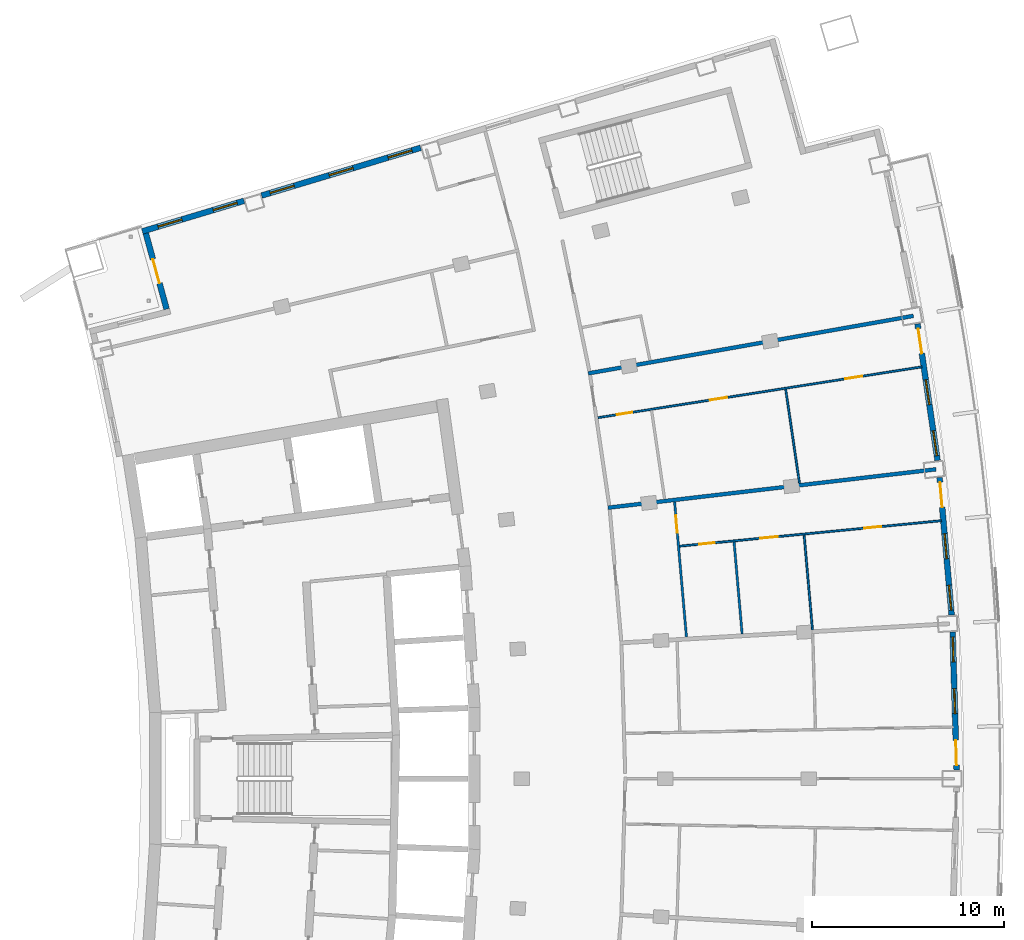
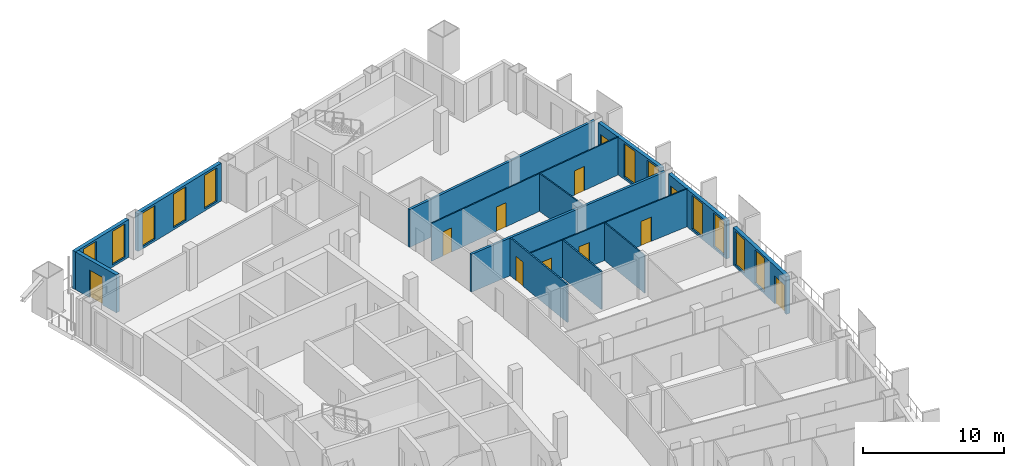
# One storey, part 14 of 19: 14 walls, 11 doors, 11 windows, 22 openings.
"""IFC4 building model written with IfcOpenShell, lengths in metres."""

import ifcopenshell
import ifcopenshell.guid

model = None  # the IFC model being written
_history = None  # IfcOwnerHistory: only IFC2X3 demands one
_inside = {}  # id of a spatial element -> (the spatial element, [elements in it])
_under = {}  # id of a project, library or spatial element -> (it, [spatial elements below it])
_declared = {}  # id of a project -> (the project, [libraries it declares])
_typed = {}  # id of a type object -> (the type object, [elements of that type])
_made_of = {}  # id of a material, layer set ... -> (it, [elements and type objects made of it])


def new_model(schema):
    """Start an empty IFC model of exactly this schema.

    Asked for "IFC4X3", IfcOpenShell would pick the latest addendum, in which some entities
    have other attributes; the version numbers below select the first issue.
    IFC2X3 requires an IfcOwnerHistory on every rooted entity: one is made here for all.
    """
    global model, _history
    if schema == "IFC4X3":
        model = ifcopenshell.file(schema_version=(4, 3, 0, 0))
    else:
        model = ifcopenshell.file(schema=schema)
    _inside.clear()
    _under.clear()
    _declared.clear()
    _typed.clear()
    _made_of.clear()
    _history = None
    if model.schema == "IFC2X3":
        org = make("IfcOrganization", Name="unknown")
        user = make(
            "IfcPersonAndOrganization",
            ThePerson=make("IfcPerson", FamilyName="unknown"),
            TheOrganization=org,
        )
        app = make(
            "IfcApplication",
            ApplicationDeveloper=org,
            Version="unknown",
            ApplicationFullName="unknown",
            ApplicationIdentifier="unknown",
        )
        _history = make(
            "IfcOwnerHistory",
            OwningUser=user,
            OwningApplication=app,
            ChangeAction="ADDED",
            CreationDate=0,
        )
    return model


def make(cls, **values):
    """One entity of the class cls with the attributes given. An attribute that is None is left unset."""
    return model.create_entity(
        cls, **{name: value for name, value in values.items() if value is not None}
    )


def rooted(cls, **values):
    """An entity with a GlobalId (a new one), such as an element, a storey or a relation."""
    return make(cls, GlobalId=ifcopenshell.guid.new(), OwnerHistory=_history, **values)


def si_unit(unit_type, name, prefix=None):
    """IfcSIUnit, for example si_unit("LENGTHUNIT", "METRE", prefix="MILLI")."""
    return make("IfcSIUnit", UnitType=unit_type, Prefix=prefix, Name=name)


def assignment(units):
    """IfcUnitAssignment: the units of a project."""
    return None if units is None else make("IfcUnitAssignment", Units=units)


def point(xyz):
    """IfcCartesianPoint."""
    return None if xyz is None else make("IfcCartesianPoint", Coordinates=xyz)


def direction(xyz):
    """IfcDirection."""
    return None if xyz is None else make("IfcDirection", DirectionRatios=xyz)


def frame(location, z_axis=None, x_axis=None):
    """IfcAxis2Placement3D, a coordinate frame: its origin and axes. An axis left out is left unset."""
    return make(
        "IfcAxis2Placement3D",
        Location=point(location),
        Axis=direction(z_axis),
        RefDirection=direction(x_axis),
    )


def frame_2d(location, x_axis=None):
    """IfcAxis2Placement2D, a coordinate frame in the plane: its origin and x axis."""
    return make(
        "IfcAxis2Placement2D", Location=point(location), RefDirection=direction(x_axis)
    )


def origin():
    """The frame at (0, 0, 0) with its axes left unset."""
    return frame((0.0, 0.0, 0.0))


def place(relative_to, where):
    """IfcLocalPlacement: puts the frame where relative to a parent placement (None: the world)."""
    return make(
        "IfcLocalPlacement", PlacementRelTo=relative_to, RelativePlacement=where
    )


def context(
    kind, dimensions, precision=None, world=None, true_north=None, identifier=None
):
    """IfcGeometricRepresentationContext, for example the 3D "Model" context."""
    return make(
        "IfcGeometricRepresentationContext",
        ContextIdentifier=identifier,
        ContextType=kind,
        CoordinateSpaceDimension=dimensions,
        Precision=precision,
        WorldCoordinateSystem=world,
        TrueNorth=true_north,
    )


def subcontext(parent, identifier, kind, view, scale=None):
    """IfcGeometricRepresentationSubContext, for example "Body" below "Model"."""
    return make(
        "IfcGeometricRepresentationSubContext",
        ContextIdentifier=identifier,
        ContextType=kind,
        ParentContext=parent,
        TargetScale=scale,
        TargetView=view,
    )


def project(units=None, contexts=None):
    """IfcProject with its units and contexts."""
    return rooted(
        "IfcProject",
        Name="project",
        RepresentationContexts=contexts,
        UnitsInContext=assignment(units),
    )


def spatial(cls, under=None, at=None, **own):
    """A site, building, storey or space (cls), placed at a placement, below another one or the project."""
    s = rooted(cls, ObjectPlacement=at, **own)
    if under is not None:
        _under.setdefault(under.id(), (under, []))[1].append(s)
    return s


def profile(cls, at=None, kind="AREA", **sizes):
    """A parametric profile (cls). Its sizes go by their IFC names, for example OverallWidth=200.0."""
    return make(cls, ProfileType=kind, Position=at, **sizes)


def rectangle(**sizes):
    """IfcRectangleProfileDef."""
    return profile("IfcRectangleProfileDef", **sizes)


def extrude(swept, where, along, depth):
    """IfcExtrudedAreaSolid: the profile swept, set in the frame where, extruded along a direction by depth."""
    return make(
        "IfcExtrudedAreaSolid",
        SweptArea=swept,
        Position=where,
        ExtrudedDirection=direction(along),
        Depth=depth,
    )


def shape(context_of_items, identifier, shape_type, items):
    """IfcShapeRepresentation: the items that make up one representation, for example the "Body"."""
    return make(
        "IfcShapeRepresentation",
        ContextOfItems=context_of_items,
        RepresentationIdentifier=identifier,
        RepresentationType=shape_type,
        Items=items,
    )


def material(Name=None, Category=None):
    """IfcMaterial."""
    return make("IfcMaterial", Name=Name, Category=Category)


def layer(
    of_material, thickness, ventilated=None, Name=None, Category=None, Priority=None
):
    """IfcMaterialLayer: one layer of a wall or slab, of a material (None: an air gap)."""
    return make(
        "IfcMaterialLayer",
        Material=of_material,
        LayerThickness=thickness,
        IsVentilated=ventilated,
        Name=Name,
        Category=Category,
        Priority=Priority,
    )


def layer_set(layers, Name=None):
    """IfcMaterialLayerSet."""
    return make("IfcMaterialLayerSet", MaterialLayers=layers, LayerSetName=Name)


def made_of(thing, what):
    """Note that an element or type object is made of a material, layer set ...; save() writes the relation."""
    if what is not None:
        _made_of.setdefault(what.id(), (what, []))[1].append(thing)
    return thing


def type_object(cls, material=None, **own):
    """A type object (cls), such as IfcWallType, which elements share."""
    return made_of(rooted(cls, **own), material)


def element(
    cls,
    number,
    at=None,
    inside=None,
    cuts=None,
    type_object=None,
    material=None,
    context=None,
    identifier="Body",
    shape_type=None,
    held_by="IfcProductDefinitionShape",
    body=None,
    shapes=None,
    **own,
):
    """One element of the class cls, such as IfcWall. Its Tag is "e" and its number.

    at: its placement. inside: the storey or other place that contains it. cuts: it is an
    opening in that element (IfcRelVoidsElement). A single representation is given by context,
    identifier, shape_type and body (its items); several are given by shapes. held_by: the class
    of the entity that holds the representations. save() writes the other relations.
    """
    e = rooted(cls, Tag="e%d" % number, ObjectPlacement=at, **own)
    if body is not None:
        shapes = [shape(context, identifier, shape_type, body)]
    if shapes is not None:
        e.Representation = make(held_by, Representations=shapes)
    if inside is not None:
        _inside.setdefault(inside.id(), (inside, []))[1].append(e)
    if cuts is not None:
        rooted(
            "IfcRelVoidsElement", RelatingBuildingElement=cuts, RelatedOpeningElement=e
        )
    if type_object is not None:
        _typed.setdefault(type_object.id(), (type_object, []))[1].append(e)
    return made_of(e, material)


def fill(opening, filler):
    """IfcRelFillsElement: the door or window that sits in an opening."""
    return rooted(
        "IfcRelFillsElement",
        RelatingOpeningElement=opening,
        RelatedBuildingElement=filler,
    )


def aggregate(whole, parts):
    """IfcRelAggregates: a whole, such as a stair, and the parts it consists of."""
    return rooted("IfcRelAggregates", RelatingObject=whole, RelatedObjects=parts)


def save(model, path):
    """Write the relations noted so far, then the file.

    IfcRelAggregates (storeys below a building ...), IfcRelContainedInSpatialStructure (elements
    in a storey), IfcRelDefinesByType, IfcRelAssociatesMaterial and IfcRelDeclares: one each for
    every whole, place, type object, material and project.
    """
    for whole, parts in _under.values():
        aggregate(whole, parts)
    for where, things in _inside.values():
        rooted(
            "IfcRelContainedInSpatialStructure",
            RelatedElements=things,
            RelatingStructure=where,
        )
    for kind, things in _typed.values():
        rooted("IfcRelDefinesByType", RelatedObjects=things, RelatingType=kind)
    for what, things in _made_of.values():
        rooted("IfcRelAssociatesMaterial", RelatedObjects=things, RelatingMaterial=what)
    for by, libraries in _declared.values():
        rooted("IfcRelDeclares", RelatingContext=by, RelatedDefinitions=libraries)
    model.write(path)


model = new_model("IFC4")

# Units and contexts
model_context = context("Model", 3, precision=1e-05, world=origin(), true_north=direction((0.0, 1.0)))
body_context = subcontext(model_context, "Body", "Model", "MODEL_VIEW")
ifc_project = project(units=[si_unit("LENGTHUNIT", "METRE"), si_unit("AREAUNIT", "SQUARE_METRE"), si_unit("VOLUMEUNIT", "CUBIC_METRE"), si_unit("PLANEANGLEUNIT", "RADIAN"), si_unit("MASSUNIT", "GRAM", prefix="KILO")], contexts=[model_context])

# Site, building, storey
site_placement = place(None, origin())
site = spatial("IfcSite", under=ifc_project, at=site_placement, CompositionType="ELEMENT")
building_placement = place(site_placement, origin())
building = spatial("IfcBuilding", under=site, at=building_placement, Name="Alderwake Tower", CompositionType="ELEMENT")
storey_placement = place(building_placement, frame((0.0, 0.0, 203.60009765625)))
storey = spatial("IfcBuildingStorey", under=building, at=storey_placement, Name="L50", CompositionType="ELEMENT", Elevation=203.60009765625)

# Wall, openings, door, windows
ifc_material_1 = material(Name="Precast concrete C50/60 spandrel panel", Category="concrete")
ifc_layer_1 = layer(ifc_material_1, 0.300048828125)
ifc_layer_set_1 = layer_set([ifc_layer_1], Name="External wall EW1 Precast concrete C50/60 spandrel")
wall_type_1 = type_object("IfcWallType", Name="External wall EW1 Precast concrete C50/60 spandrel", PredefinedType="SOLIDWALL", material=ifc_layer_set_1)
wall_1_placement = place(storey_placement, frame((58.43701171875, 61.447265625, 0.0), z_axis=(0.0, 0.0, 1.0), x_axis=(-0.029173236612, 0.999574370553, 0.0)))
wall_1 = element("IfcWall", 1, at=wall_1_placement, inside=storey, type_object=wall_type_1, Name="External wall 16", PredefinedType="SOLIDWALL", context=body_context, shape_type="SweptSolid", body=[
    extrude(rectangle(XDim=7.180419921875, YDim=0.300048828125, at=frame_2d((3.59033203125, 0.0))), origin(), (0.0, 0.0, 1.0), 3.27978515625),
])
opening_1_placement = place(wall_1_placement, frame((0.25341796875, 0.0, 0.0)))
opening_1 = element("IfcOpeningElement", 2, at=opening_1_placement, cuts=wall_1, Name="Opening D06", PredefinedType="OPENING", context=body_context, shape_type="SweptSolid", body=[
    extrude(rectangle(XDim=1.300048828125, YDim=2.39990234375, at=frame_2d((0.64990234375, 1.199951171875))), frame((0.0, 0.159912109375, 0.0), z_axis=(0.0, -1.0, 0.0), x_axis=(1.0, 0.0, 0.0)), (0.0, 0.0, 1.0), 0.320068359375),
])
opening_2_placement = place(wall_1_placement, frame((2.940185546875, 0.0, 0.199951171875)))
opening_2 = element("IfcOpeningElement", 3, at=opening_2_placement, cuts=wall_1, Name="Opening W1", PredefinedType="OPENING", context=body_context, shape_type="SweptSolid", body=[
    extrude(rectangle(XDim=1.300048828125, YDim=2.89990234375, at=frame_2d((0.64990234375, 1.449951171875))), frame((0.0, 0.159912109375, 0.0), z_axis=(0.0, -1.0, 0.0), x_axis=(1.0, 0.0, 0.0)), (0.0, 0.0, 1.0), 0.320068359375),
])
opening_3_placement = place(wall_1_placement, frame((5.626953125, 0.0, 0.199951171875)))
opening_3 = element("IfcOpeningElement", 4, at=opening_3_placement, cuts=wall_1, Name="Opening W1", PredefinedType="OPENING", context=body_context, shape_type="SweptSolid", body=[
    extrude(rectangle(XDim=1.300048828125, YDim=2.89990234375, at=frame_2d((0.64990234375, 1.449951171875))), frame((0.0, 0.159912109375, 0.0), z_axis=(0.0, -1.0, 0.0), x_axis=(1.0, 0.0, 0.0)), (0.0, 0.0, 1.0), 0.320068359375),
])
ifc_material_2 = material(Name="Bronze tinted glass in aluminium frame", Category="aluminium")
door_type_1 = type_object("IfcDoorType", Name="Balcony door BD sliding", OperationType="SLIDING_TO_LEFT", PredefinedType="DOOR", material=ifc_material_2)
door_1_placement = place(opening_1_placement, origin())
door_1 = element("IfcDoor", 5, at=door_1_placement, inside=storey, type_object=door_type_1, Name="Door D06", OperationType="SLIDING_TO_LEFT", OverallHeight=2.39990234375, OverallWidth=1.300048828125, PredefinedType="DOOR", context=body_context, shape_type="SweptSolid", body=[
    extrude(rectangle(XDim=1.300048828125, YDim=2.39990234375, at=frame_2d((0.64990234375, 1.199951171875))), frame((0.0, 0.02490234375, 0.0), z_axis=(0.0, -1.0, 0.0), x_axis=(1.0, 0.0, 0.0)), (0.0, 0.0, 1.0), 0.050048828125),
])
fill(opening_1, door_1)
ifc_material_3 = material(Name="Bronze tinted glass in aluminium frame", Category="aluminium")
window_type = type_object("IfcWindowType", Name="Window W1 tall fixed and vent", PartitioningType="DOUBLE_PANEL_VERTICAL", PredefinedType="WINDOW", material=ifc_material_3)
window_1_placement = place(opening_2_placement, origin())
window_1 = element("IfcWindow", 6, at=window_1_placement, inside=storey, type_object=window_type, Name="Window W1 tall fixed and vent", OverallHeight=2.89990234375, OverallWidth=1.300048828125, PartitioningType="DOUBLE_PANEL_VERTICAL", PredefinedType="WINDOW", context=body_context, shape_type="SweptSolid", body=[
    extrude(rectangle(XDim=1.300048828125, YDim=2.89990234375, at=frame_2d((0.64990234375, 1.449951171875))), frame((0.0, 0.030029296875, 0.0), z_axis=(0.0, -1.0, 0.0), x_axis=(1.0, 0.0, 0.0)), (0.0, 0.0, 1.0), 0.06005859375),
])
fill(opening_2, window_1)
window_2_placement = place(opening_3_placement, origin())
window_2 = element("IfcWindow", 7, at=window_2_placement, inside=storey, type_object=window_type, Name="Window W1 tall fixed and vent", OverallHeight=2.89990234375, OverallWidth=1.300048828125, PartitioningType="DOUBLE_PANEL_VERTICAL", PredefinedType="WINDOW", context=body_context, shape_type="SweptSolid", body=[
    extrude(rectangle(XDim=1.300048828125, YDim=2.89990234375, at=frame_2d((0.64990234375, 1.449951171875))), frame((0.0, 0.030029296875, 0.0), z_axis=(0.0, -1.0, 0.0), x_axis=(1.0, 0.0, 0.0)), (0.0, 0.0, 1.0), 0.06005859375),
])
fill(opening_3, window_2)

wall_2_placement = place(storey_placement, frame((58.17529296875, 69.517333984375, 0.0), z_axis=(0.0, 0.0, 1.0), x_axis=(-0.087383747715, 0.996174723949, 0.0)))
wall_2 = element("IfcWall", 8, at=wall_2_placement, inside=storey, type_object=wall_type_1, Name="External wall 17", PredefinedType="SOLIDWALL", context=body_context, shape_type="SweptSolid", body=[
    extrude(rectangle(XDim=7.180419921875, YDim=0.300048828125, at=frame_2d((3.59033203125, 0.0))), origin(), (0.0, 0.0, 1.0), 3.27978515625),
])
opening_4_placement = place(wall_2_placement, frame((0.25341796875, 0.0, 0.199951171875)))
opening_4 = element("IfcOpeningElement", 9, at=opening_4_placement, cuts=wall_2, Name="Opening W1", PredefinedType="OPENING", context=body_context, shape_type="SweptSolid", body=[
    extrude(rectangle(XDim=1.300048828125, YDim=2.89990234375, at=frame_2d((0.64990234375, 1.449951171875))), frame((0.0, 0.159912109375, 0.0), z_axis=(0.0, -1.0, 0.0), x_axis=(1.0, 0.0, 0.0)), (0.0, 0.0, 1.0), 0.320068359375),
])
opening_5_placement = place(wall_2_placement, frame((2.940185546875, 0.0, 0.199951171875)))
opening_5 = element("IfcOpeningElement", 10, at=opening_5_placement, cuts=wall_2, Name="Opening W1", PredefinedType="OPENING", context=body_context, shape_type="SweptSolid", body=[
    extrude(rectangle(XDim=1.300048828125, YDim=2.89990234375, at=frame_2d((0.64990234375, 1.449951171875))), frame((0.0, 0.159912109375, 0.0), z_axis=(0.0, -1.0, 0.0), x_axis=(1.0, 0.0, 0.0)), (0.0, 0.0, 1.0), 0.320068359375),
])
opening_6_placement = place(wall_2_placement, frame((5.626953125, 0.0, 0.0)))
opening_6 = element("IfcOpeningElement", 11, at=opening_6_placement, cuts=wall_2, Name="Opening D07", PredefinedType="OPENING", context=body_context, shape_type="SweptSolid", body=[
    extrude(rectangle(XDim=1.300048828125, YDim=2.39990234375, at=frame_2d((0.64990234375, 1.199951171875))), frame((0.0, 0.159912109375, 0.0), z_axis=(0.0, -1.0, 0.0), x_axis=(1.0, 0.0, 0.0)), (0.0, 0.0, 1.0), 0.320068359375),
])
door_2_placement = place(opening_6_placement, origin())
door_2 = element("IfcDoor", 12, at=door_2_placement, inside=storey, type_object=door_type_1, Name="Door D07", OperationType="SLIDING_TO_LEFT", OverallHeight=2.39990234375, OverallWidth=1.300048828125, PredefinedType="DOOR", context=body_context, shape_type="SweptSolid", body=[
    extrude(rectangle(XDim=1.300048828125, YDim=2.39990234375, at=frame_2d((0.64990234375, 1.199951171875))), frame((0.0, 0.02490234375, 0.0), z_axis=(0.0, -1.0, 0.0), x_axis=(1.0, 0.0, 0.0)), (0.0, 0.0, 1.0), 0.050048828125),
])
fill(opening_6, door_2)
window_3_placement = place(opening_4_placement, origin())
window_3 = element("IfcWindow", 13, at=window_3_placement, inside=storey, type_object=window_type, Name="Window W1 tall fixed and vent", OverallHeight=2.89990234375, OverallWidth=1.300048828125, PartitioningType="DOUBLE_PANEL_VERTICAL", PredefinedType="WINDOW", context=body_context, shape_type="SweptSolid", body=[
    extrude(rectangle(XDim=1.300048828125, YDim=2.89990234375, at=frame_2d((0.64990234375, 1.449951171875))), frame((0.0, 0.030029296875, 0.0), z_axis=(0.0, -1.0, 0.0), x_axis=(1.0, 0.0, 0.0)), (0.0, 0.0, 1.0), 0.06005859375),
])
fill(opening_4, window_3)
window_4_placement = place(opening_5_placement, origin())
window_4 = element("IfcWindow", 14, at=window_4_placement, inside=storey, type_object=window_type, Name="Window W1 tall fixed and vent", OverallHeight=2.89990234375, OverallWidth=1.300048828125, PartitioningType="DOUBLE_PANEL_VERTICAL", PredefinedType="WINDOW", context=body_context, shape_type="SweptSolid", body=[
    extrude(rectangle(XDim=1.300048828125, YDim=2.89990234375, at=frame_2d((0.64990234375, 1.449951171875))), frame((0.0, 0.030029296875, 0.0), z_axis=(0.0, -1.0, 0.0), x_axis=(1.0, 0.0, 0.0)), (0.0, 0.0, 1.0), 0.06005859375),
])
fill(opening_5, window_4)

wall_3_placement = place(storey_placement, frame((57.44384765625, 77.55859375, 0.0), z_axis=(0.0, 0.0, 1.0), x_axis=(-0.145323662677, 0.989384168595, 0.0)))
wall_3 = element("IfcWall", 15, at=wall_3_placement, inside=storey, type_object=wall_type_1, Name="External wall 18", PredefinedType="SOLIDWALL", context=body_context, shape_type="SweptSolid", body=[
    extrude(rectangle(XDim=7.18017578125, YDim=0.300048828125, at=frame_2d((3.590087890625, 0.0))), origin(), (0.0, 0.0, 1.0), 3.27978515625),
])
opening_7_placement = place(wall_3_placement, frame((0.25341796875, 0.0, 0.199951171875)))
opening_7 = element("IfcOpeningElement", 16, at=opening_7_placement, cuts=wall_3, Name="Opening W1", PredefinedType="OPENING", context=body_context, shape_type="SweptSolid", body=[
    extrude(rectangle(XDim=1.300048828125, YDim=2.89990234375, at=frame_2d((0.64990234375, 1.449951171875))), frame((0.0, 0.159912109375, 0.0), z_axis=(0.0, -1.0, 0.0), x_axis=(1.0, 0.0, 0.0)), (0.0, 0.0, 1.0), 0.320068359375),
])
opening_8_placement = place(wall_3_placement, frame((2.940185546875, 0.0, 0.199951171875)))
opening_8 = element("IfcOpeningElement", 17, at=opening_8_placement, cuts=wall_3, Name="Opening W1", PredefinedType="OPENING", context=body_context, shape_type="SweptSolid", body=[
    extrude(rectangle(XDim=1.300048828125, YDim=2.89990234375, at=frame_2d((0.64990234375, 1.449951171875))), frame((0.0, 0.159912109375, 0.0), z_axis=(0.0, -1.0, 0.0), x_axis=(1.0, 0.0, 0.0)), (0.0, 0.0, 1.0), 0.320068359375),
])
opening_9_placement = place(wall_3_placement, frame((5.626953125, 0.0, 0.0)))
opening_9 = element("IfcOpeningElement", 18, at=opening_9_placement, cuts=wall_3, Name="Opening D08", PredefinedType="OPENING", context=body_context, shape_type="SweptSolid", body=[
    extrude(rectangle(XDim=1.300048828125, YDim=2.39990234375, at=frame_2d((0.64990234375, 1.199951171875))), frame((0.0, 0.159912109375, 0.0), z_axis=(0.0, -1.0, 0.0), x_axis=(1.0, 0.0, 0.0)), (0.0, 0.0, 1.0), 0.320068359375),
])
door_3_placement = place(opening_9_placement, origin())
door_3 = element("IfcDoor", 19, at=door_3_placement, inside=storey, type_object=door_type_1, Name="Door D08", OperationType="SLIDING_TO_LEFT", OverallHeight=2.39990234375, OverallWidth=1.300048828125, PredefinedType="DOOR", context=body_context, shape_type="SweptSolid", body=[
    extrude(rectangle(XDim=1.300048828125, YDim=2.39990234375, at=frame_2d((0.64990234375, 1.199951171875))), frame((0.0, 0.02490234375, 0.0), z_axis=(0.0, -1.0, 0.0), x_axis=(1.0, 0.0, 0.0)), (0.0, 0.0, 1.0), 0.050048828125),
])
fill(opening_9, door_3)
window_5_placement = place(opening_7_placement, origin())
window_5 = element("IfcWindow", 20, at=window_5_placement, inside=storey, type_object=window_type, Name="Window W1 tall fixed and vent", OverallHeight=2.89990234375, OverallWidth=1.300048828125, PartitioningType="DOUBLE_PANEL_VERTICAL", PredefinedType="WINDOW", context=body_context, shape_type="SweptSolid", body=[
    extrude(rectangle(XDim=1.300048828125, YDim=2.89990234375, at=frame_2d((0.64990234375, 1.449951171875))), frame((0.0, 0.030029296875, 0.0), z_axis=(0.0, -1.0, 0.0), x_axis=(1.0, 0.0, 0.0)), (0.0, 0.0, 1.0), 0.06005859375),
])
fill(opening_7, window_5)
window_6_placement = place(opening_8_placement, origin())
window_6 = element("IfcWindow", 21, at=window_6_placement, inside=storey, type_object=window_type, Name="Window W1 tall fixed and vent", OverallHeight=2.89990234375, OverallWidth=1.300048828125, PartitioningType="DOUBLE_PANEL_VERTICAL", PredefinedType="WINDOW", context=body_context, shape_type="SweptSolid", body=[
    extrude(rectangle(XDim=1.300048828125, YDim=2.89990234375, at=frame_2d((0.64990234375, 1.449951171875))), frame((0.0, 0.030029296875, 0.0), z_axis=(0.0, -1.0, 0.0), x_axis=(1.0, 0.0, 0.0)), (0.0, 0.0, 1.0), 0.06005859375),
])
fill(opening_8, window_6)

# Wall, openings, windows
ifc_material_4 = material(Name="Bronze metal cladding on lightweight framing")
ifc_layer_2 = layer(ifc_material_4, 0.300048828125)
ifc_layer_set_2 = layer_set([ifc_layer_2], Name="External wall EW2 bronze metal cladding")
wall_type_2 = type_object("IfcWallType", Name="External wall EW2 bronze metal cladding", PredefinedType="SOLIDWALL", material=ifc_layer_set_2)
wall_4_placement = place(storey_placement, frame((30.551513671875, 93.825439453125, 0.0), z_axis=(0.0, 0.0, 1.0), x_axis=(-0.957759421932, -0.287570669054, 0.0)))
wall_4 = element("IfcWall", 22, at=wall_4_placement, inside=storey, type_object=wall_type_2, Name="External wall 26", PredefinedType="SOLIDWALL", context=body_context, shape_type="SweptSolid", body=[
    extrude(rectangle(XDim=8.64599609375, YDim=0.300048828125, at=frame_2d((4.322998046875, 0.0))), origin(), (0.0, 0.0, 1.0), 3.27978515625),
])
opening_10_placement = place(wall_4_placement, frame((0.47314453125, 0.0, 0.199951171875)))
opening_10 = element("IfcOpeningElement", 23, at=opening_10_placement, cuts=wall_4, Name="Opening W1", PredefinedType="OPENING", context=body_context, shape_type="SweptSolid", body=[
    extrude(rectangle(XDim=1.300048828125, YDim=2.89990234375, at=frame_2d((0.64990234375, 1.449951171875))), frame((0.0, 0.159912109375, 0.0), z_axis=(0.0, -1.0, 0.0), x_axis=(1.0, 0.0, 0.0)), (0.0, 0.0, 1.0), 0.320068359375),
])
opening_11_placement = place(wall_4_placement, frame((3.673095703125, 0.0, 0.199951171875)))
opening_11 = element("IfcOpeningElement", 24, at=opening_11_placement, cuts=wall_4, Name="Opening W1", PredefinedType="OPENING", context=body_context, shape_type="SweptSolid", body=[
    extrude(rectangle(XDim=1.300048828125, YDim=2.89990234375, at=frame_2d((0.64990234375, 1.449951171875))), frame((0.0, 0.159912109375, 0.0), z_axis=(0.0, -1.0, 0.0), x_axis=(1.0, 0.0, 0.0)), (0.0, 0.0, 1.0), 0.320068359375),
])
opening_12_placement = place(wall_4_placement, frame((6.873291015625, 0.0, 0.199951171875)))
opening_12 = element("IfcOpeningElement", 25, at=opening_12_placement, cuts=wall_4, Name="Opening W1", PredefinedType="OPENING", context=body_context, shape_type="SweptSolid", body=[
    extrude(rectangle(XDim=1.300048828125, YDim=2.89990234375, at=frame_2d((0.64990234375, 1.449951171875))), frame((0.0, 0.159912109375, 0.0), z_axis=(0.0, -1.0, 0.0), x_axis=(1.0, 0.0, 0.0)), (0.0, 0.0, 1.0), 0.320068359375),
])
window_7_placement = place(opening_10_placement, origin())
window_7 = element("IfcWindow", 26, at=window_7_placement, inside=storey, type_object=window_type, Name="Window W1 tall fixed and vent", OverallHeight=2.89990234375, OverallWidth=1.300048828125, PartitioningType="DOUBLE_PANEL_VERTICAL", PredefinedType="WINDOW", context=body_context, shape_type="SweptSolid", body=[
    extrude(rectangle(XDim=1.300048828125, YDim=2.89990234375, at=frame_2d((0.64990234375, 1.449951171875))), frame((0.0, 0.030029296875, 0.0), z_axis=(0.0, -1.0, 0.0), x_axis=(1.0, 0.0, 0.0)), (0.0, 0.0, 1.0), 0.06005859375),
])
fill(opening_10, window_7)
window_8_placement = place(opening_11_placement, origin())
window_8 = element("IfcWindow", 27, at=window_8_placement, inside=storey, type_object=window_type, Name="Window W1 tall fixed and vent", OverallHeight=2.89990234375, OverallWidth=1.300048828125, PartitioningType="DOUBLE_PANEL_VERTICAL", PredefinedType="WINDOW", context=body_context, shape_type="SweptSolid", body=[
    extrude(rectangle(XDim=1.300048828125, YDim=2.89990234375, at=frame_2d((0.64990234375, 1.449951171875))), frame((0.0, 0.030029296875, 0.0), z_axis=(0.0, -1.0, 0.0), x_axis=(1.0, 0.0, 0.0)), (0.0, 0.0, 1.0), 0.06005859375),
])
fill(opening_11, window_8)
window_9_placement = place(opening_12_placement, origin())
window_9 = element("IfcWindow", 28, at=window_9_placement, inside=storey, type_object=window_type, Name="Window W1 tall fixed and vent", OverallHeight=2.89990234375, OverallWidth=1.300048828125, PartitioningType="DOUBLE_PANEL_VERTICAL", PredefinedType="WINDOW", context=body_context, shape_type="SweptSolid", body=[
    extrude(rectangle(XDim=1.300048828125, YDim=2.89990234375, at=frame_2d((0.64990234375, 1.449951171875))), frame((0.0, 0.030029296875, 0.0), z_axis=(0.0, -1.0, 0.0), x_axis=(1.0, 0.0, 0.0)), (0.0, 0.0, 1.0), 0.06005859375),
])
fill(opening_12, window_9)

wall_5_placement = place(storey_placement, frame((21.356689453125, 91.064697265625, 0.0), z_axis=(0.0, 0.0, 1.0), x_axis=(-0.957772749247, -0.287526278451, 0.0)))
wall_5 = element("IfcWall", 29, at=wall_5_placement, inside=storey, type_object=wall_type_2, Name="External wall 27", PredefinedType="SOLIDWALL", context=body_context, shape_type="SweptSolid", body=[
    extrude(rectangle(XDim=5.524169921875, YDim=0.300048828125, at=frame_2d((2.76220703125, 0.0))), origin(), (0.0, 0.0, 1.0), 3.27978515625),
])
opening_13_placement = place(wall_5_placement, frame((0.373291015625, 0.0, 0.199951171875)))
opening_13 = element("IfcOpeningElement", 30, at=opening_13_placement, cuts=wall_5, Name="Opening W1", PredefinedType="OPENING", context=body_context, shape_type="SweptSolid", body=[
    extrude(rectangle(XDim=1.300048828125, YDim=2.89990234375, at=frame_2d((0.64990234375, 1.449951171875))), frame((0.0, 0.159912109375, 0.0), z_axis=(0.0, -1.0, 0.0), x_axis=(1.0, 0.0, 0.0)), (0.0, 0.0, 1.0), 0.320068359375),
])
opening_14_placement = place(wall_5_placement, frame((3.3740234375, 0.0, 0.199951171875)))
opening_14 = element("IfcOpeningElement", 31, at=opening_14_placement, cuts=wall_5, Name="Opening W1", PredefinedType="OPENING", context=body_context, shape_type="SweptSolid", body=[
    extrude(rectangle(XDim=1.300048828125, YDim=2.89990234375, at=frame_2d((0.64990234375, 1.449951171875))), frame((0.0, 0.159912109375, 0.0), z_axis=(0.0, -1.0, 0.0), x_axis=(1.0, 0.0, 0.0)), (0.0, 0.0, 1.0), 0.320068359375),
])
window_10_placement = place(opening_13_placement, origin())
window_10 = element("IfcWindow", 32, at=window_10_placement, inside=storey, type_object=window_type, Name="Window W1 tall fixed and vent", OverallHeight=2.89990234375, OverallWidth=1.300048828125, PartitioningType="DOUBLE_PANEL_VERTICAL", PredefinedType="WINDOW", context=body_context, shape_type="SweptSolid", body=[
    extrude(rectangle(XDim=1.300048828125, YDim=2.89990234375, at=frame_2d((0.64990234375, 1.449951171875))), frame((0.0, 0.030029296875, 0.0), z_axis=(0.0, -1.0, 0.0), x_axis=(1.0, 0.0, 0.0)), (0.0, 0.0, 1.0), 0.06005859375),
])
fill(opening_13, window_10)
window_11_placement = place(opening_14_placement, origin())
window_11 = element("IfcWindow", 33, at=window_11_placement, inside=storey, type_object=window_type, Name="Window W1 tall fixed and vent", OverallHeight=2.89990234375, OverallWidth=1.300048828125, PartitioningType="DOUBLE_PANEL_VERTICAL", PredefinedType="WINDOW", context=body_context, shape_type="SweptSolid", body=[
    extrude(rectangle(XDim=1.300048828125, YDim=2.89990234375, at=frame_2d((0.64990234375, 1.449951171875))), frame((0.0, 0.030029296875, 0.0), z_axis=(0.0, -1.0, 0.0), x_axis=(1.0, 0.0, 0.0)), (0.0, 0.0, 1.0), 0.06005859375),
])
fill(opening_14, window_11)

# Wall, opening, door
wall_6_placement = place(storey_placement, frame((16.248779296875, 89.374755859375, 0.0), z_axis=(0.0, 0.0, 1.0), x_axis=(0.264607053468, -0.964356317579, 0.0)))
wall_6 = element("IfcWall", 34, at=wall_6_placement, inside=storey, type_object=wall_type_2, Name="External wall 28", PredefinedType="SOLIDWALL", context=body_context, shape_type="SweptSolid", body=[
    extrude(rectangle(XDim=4.090087890625, YDim=0.300048828125, at=frame_2d((2.044921875, 0.0))), origin(), (0.0, 0.0, 1.0), 3.27978515625),
])
opening_15_placement = place(wall_6_placement, frame((1.39501953125, 0.0, 0.0)))
opening_15 = element("IfcOpeningElement", 35, at=opening_15_placement, cuts=wall_6, Name="Opening D10", PredefinedType="OPENING", context=body_context, shape_type="SweptSolid", body=[
    extrude(rectangle(XDim=1.300048828125, YDim=2.39990234375, at=frame_2d((0.64990234375, 1.199951171875))), frame((0.0, 0.159912109375, 0.0), z_axis=(0.0, -1.0, 0.0), x_axis=(1.0, 0.0, 0.0)), (0.0, 0.0, 1.0), 0.320068359375),
])
door_4_placement = place(opening_15_placement, origin())
door_4 = element("IfcDoor", 36, at=door_4_placement, inside=storey, type_object=door_type_1, Name="Door D10", OperationType="SLIDING_TO_LEFT", OverallHeight=2.39990234375, OverallWidth=1.300048828125, PredefinedType="DOOR", context=body_context, shape_type="SweptSolid", body=[
    extrude(rectangle(XDim=1.300048828125, YDim=2.39990234375, at=frame_2d((0.64990234375, 1.199951171875))), frame((0.0, 0.02490234375, 0.0), z_axis=(0.0, -1.0, 0.0), x_axis=(1.0, 0.0, 0.0)), (0.0, 0.0, 1.0), 0.050048828125),
])
fill(opening_15, door_4)

# Walls
ifc_material_5 = material(Name="Dense block masonry wall", Category="masonry")
ifc_layer_3 = layer(ifc_material_5, 0.199951171875)
ifc_layer_set_3 = layer_set([ifc_layer_3], Name="Party wall 200")
wall_type_3 = type_object("IfcWallType", Name="Party wall 200", PredefinedType="SOLIDWALL", material=ifc_layer_set_3)
wall_7_placement = place(storey_placement, frame((56.18701171875, 85.080078125, 0.0), z_axis=(0.0, 0.0, 1.0), x_axis=(-0.984709365413, -0.174205240069, 0.0)))
element("IfcWall", 37, at=wall_7_placement, inside=storey, type_object=wall_type_3, Name="WL/L50/W02", PredefinedType="SOLIDWALL", context=body_context, shape_type="SweptSolid", body=[
    extrude(rectangle(XDim=17.180419921875, YDim=0.199951171875, at=frame_2d((8.59033203125, 0.0))), origin(), (0.0, 0.0, 1.0), 3.27978515625),
])
wall_8_placement = place(storey_placement, frame((57.360107421875, 77.096923828125, 0.0), z_axis=(0.0, 0.0, 1.0), x_axis=(-0.993211679242, -0.116320936278, 0.0)))
element("IfcWall", 38, at=wall_8_placement, inside=storey, type_object=wall_type_3, Name="WL/L50/W03", PredefinedType="SOLIDWALL", context=body_context, shape_type="SweptSolid", body=[
    extrude(rectangle(XDim=17.17919921875, YDim=0.199951171875, at=frame_2d((8.589599609375, 0.0))), origin(), (0.0, 0.0, 1.0), 3.27978515625),
])

# Wall, openings, doors
ifc_material_6 = material(Name="Gypsum board on metal studs")
ifc_layer_4 = layer(ifc_material_6, 0.10009765625)
ifc_layer_set_4 = layer_set([ifc_layer_4], Name="Unit partition 100")
wall_type_4 = type_object("IfcWallType", Name="Unit partition 100", PredefinedType="PARTITIONING", material=ifc_layer_set_4)
wall_9_placement = place(storey_placement, frame((56.6279296875, 82.427978515625, 0.0), z_axis=(0.0, 0.0, 1.0), x_axis=(-0.987910763847, -0.155023619733, 0.0)))
wall_9 = element("IfcWall", 39, at=wall_9_placement, inside=storey, type_object=wall_type_4, Name="WL/L50/W44", PredefinedType="PARTITIONING", context=body_context, shape_type="SweptSolid", body=[
    extrude(rectangle(XDim=17.065185546875, YDim=0.10009765625, at=frame_2d((8.53271484375, 0.0))), origin(), (0.0, 0.0, 1.0), 3.27978515625),
])
opening_16_placement = place(wall_9_placement, frame((10.263671875, 0.0, 0.0)))
opening_16 = element("IfcOpeningElement", 40, at=opening_16_placement, cuts=wall_9, Name="Opening R14-U07.1", PredefinedType="OPENING", context=body_context, shape_type="SweptSolid", body=[
    extrude(rectangle(XDim=0.89990234375, YDim=2.10009765625, at=frame_2d((0.449951171875, 1.050048828125))), frame((0.0, 0.06005859375, 0.0), z_axis=(0.0, -1.0, 0.0), x_axis=(1.0, 0.0, 0.0)), (0.0, 0.0, 1.0), 0.1201171875),
])
opening_17_placement = place(wall_9_placement, frame((15.255126953125, 0.0, 0.0)))
opening_17 = element("IfcOpeningElement", 41, at=opening_17_placement, cuts=wall_9, Name="Opening R14-U07.3", PredefinedType="OPENING", context=body_context, shape_type="SweptSolid", body=[
    extrude(rectangle(XDim=0.800048828125, YDim=2.10009765625, at=frame_2d((0.39990234375, 1.050048828125))), frame((0.0, 0.06005859375, 0.0), z_axis=(0.0, -1.0, 0.0), x_axis=(1.0, 0.0, 0.0)), (0.0, 0.0, 1.0), 0.1201171875),
])
opening_18_placement = place(wall_9_placement, frame((3.141845703125, 0.0, 0.0)))
opening_18 = element("IfcOpeningElement", 42, at=opening_18_placement, cuts=wall_9, Name="Opening R14-U07.4", PredefinedType="OPENING", context=body_context, shape_type="SweptSolid", body=[
    extrude(rectangle(XDim=0.89990234375, YDim=2.10009765625, at=frame_2d((0.449951171875, 1.050048828125))), frame((0.0, 0.06005859375, 0.0), z_axis=(0.0, -1.0, 0.0), x_axis=(1.0, 0.0, 0.0)), (0.0, 0.0, 1.0), 0.1201171875),
])
ifc_material_7 = material(Name="Painted timber leaf", Category="wood")
door_type_2 = type_object("IfcDoorType", Name="Bathroom door 800", OperationType="SINGLE_SWING_LEFT", PredefinedType="DOOR", material=ifc_material_7)
door_5_placement = place(opening_17_placement, origin())
door_5 = element("IfcDoor", 43, at=door_5_placement, inside=storey, type_object=door_type_2, Name="DR/L50/U07.3", OperationType="SINGLE_SWING_LEFT", OverallHeight=2.10009765625, OverallWidth=0.800048828125, PredefinedType="DOOR", context=body_context, shape_type="SweptSolid", body=[
    extrude(rectangle(XDim=0.800048828125, YDim=2.10009765625, at=frame_2d((0.39990234375, 1.050048828125))), frame((0.0, 0.02490234375, 0.0), z_axis=(0.0, -1.0, 0.0), x_axis=(1.0, 0.0, 0.0)), (0.0, 0.0, 1.0), 0.050048828125),
])
fill(opening_17, door_5)
ifc_material_8 = material(Name="Painted timber leaf", Category="wood")
door_type_3 = type_object("IfcDoorType", Name="Room door 900", OperationType="SINGLE_SWING_LEFT", PredefinedType="DOOR", material=ifc_material_8)
door_6_placement = place(opening_16_placement, origin())
door_6 = element("IfcDoor", 44, at=door_6_placement, inside=storey, type_object=door_type_3, Name="DR/L50/U07.1", OperationType="SINGLE_SWING_LEFT", OverallHeight=2.10009765625, OverallWidth=0.89990234375, PredefinedType="DOOR", context=body_context, shape_type="SweptSolid", body=[
    extrude(rectangle(XDim=0.89990234375, YDim=2.10009765625, at=frame_2d((0.449951171875, 1.050048828125))), frame((0.0, 0.02490234375, 0.0), z_axis=(0.0, -1.0, 0.0), x_axis=(1.0, 0.0, 0.0)), (0.0, 0.0, 1.0), 0.050048828125),
])
fill(opening_16, door_6)
door_7_placement = place(opening_18_placement, origin())
door_7 = element("IfcDoor", 45, at=door_7_placement, inside=storey, type_object=door_type_3, Name="DR/L50/U07.4", OperationType="SINGLE_SWING_LEFT", OverallHeight=2.10009765625, OverallWidth=0.89990234375, PredefinedType="DOOR", context=body_context, shape_type="SweptSolid", body=[
    extrude(rectangle(XDim=0.89990234375, YDim=2.10009765625, at=frame_2d((0.449951171875, 1.050048828125))), frame((0.0, 0.02490234375, 0.0), z_axis=(0.0, -1.0, 0.0), x_axis=(1.0, 0.0, 0.0)), (0.0, 0.0, 1.0), 0.050048828125),
])
fill(opening_18, door_7)

wall_10_placement = place(storey_placement, frame((57.64501953125, 74.424072265625, 0.0), z_axis=(0.0, 0.0, 1.0), x_axis=(-0.995293286356, -0.096908586486, 0.0)))
wall_10 = element("IfcWall", 46, at=wall_10_placement, inside=storey, type_object=wall_type_4, Name="WL/L50/W50", PredefinedType="PARTITIONING", context=body_context, shape_type="SweptSolid", body=[
    extrude(rectangle(XDim=13.684814453125, YDim=0.10009765625, at=frame_2d((6.84228515625, 0.0))), origin(), (0.0, 0.0, 1.0), 3.27978515625),
])
opening_19_placement = place(wall_10_placement, frame((8.564208984375, 0.0, 0.0)))
opening_19 = element("IfcOpeningElement", 47, at=opening_19_placement, cuts=wall_10, Name="Opening R14-U06.1", PredefinedType="OPENING", context=body_context, shape_type="SweptSolid", body=[
    extrude(rectangle(XDim=0.89990234375, YDim=2.10009765625, at=frame_2d((0.449951171875, 1.050048828125))), frame((0.0, 0.06005859375, 0.0), z_axis=(0.0, -1.0, 0.0), x_axis=(1.0, 0.0, 0.0)), (0.0, 0.0, 1.0), 0.1201171875),
])
opening_20_placement = place(wall_10_placement, frame((11.865478515625, 0.0, 0.0)))
opening_20 = element("IfcOpeningElement", 48, at=opening_20_placement, cuts=wall_10, Name="Opening R14-U06.4", PredefinedType="OPENING", context=body_context, shape_type="SweptSolid", body=[
    extrude(rectangle(XDim=0.800048828125, YDim=2.10009765625, at=frame_2d((0.39990234375, 1.050048828125))), frame((0.0, 0.06005859375, 0.0), z_axis=(0.0, -1.0, 0.0), x_axis=(1.0, 0.0, 0.0)), (0.0, 0.0, 1.0), 0.1201171875),
])
opening_21_placement = place(wall_10_placement, frame((3.141845703125, 0.0, 0.0)))
opening_21 = element("IfcOpeningElement", 49, at=opening_21_placement, cuts=wall_10, Name="Opening R14-U06.5", PredefinedType="OPENING", context=body_context, shape_type="SweptSolid", body=[
    extrude(rectangle(XDim=0.89990234375, YDim=2.10009765625, at=frame_2d((0.449951171875, 1.050048828125))), frame((0.0, 0.06005859375, 0.0), z_axis=(0.0, -1.0, 0.0), x_axis=(1.0, 0.0, 0.0)), (0.0, 0.0, 1.0), 0.1201171875),
])
door_8_placement = place(opening_20_placement, origin())
door_8 = element("IfcDoor", 50, at=door_8_placement, inside=storey, type_object=door_type_2, Name="DR/L50/U06.4", OperationType="SINGLE_SWING_LEFT", OverallHeight=2.10009765625, OverallWidth=0.800048828125, PredefinedType="DOOR", context=body_context, shape_type="SweptSolid", body=[
    extrude(rectangle(XDim=0.800048828125, YDim=2.10009765625, at=frame_2d((0.39990234375, 1.050048828125))), frame((0.0, 0.02490234375, 0.0), z_axis=(0.0, -1.0, 0.0), x_axis=(1.0, 0.0, 0.0)), (0.0, 0.0, 1.0), 0.050048828125),
])
fill(opening_20, door_8)
door_9_placement = place(opening_19_placement, origin())
door_9 = element("IfcDoor", 51, at=door_9_placement, inside=storey, type_object=door_type_3, Name="DR/L50/U06.1", OperationType="SINGLE_SWING_LEFT", OverallHeight=2.10009765625, OverallWidth=0.89990234375, PredefinedType="DOOR", context=body_context, shape_type="SweptSolid", body=[
    extrude(rectangle(XDim=0.89990234375, YDim=2.10009765625, at=frame_2d((0.449951171875, 1.050048828125))), frame((0.0, 0.02490234375, 0.0), z_axis=(0.0, -1.0, 0.0), x_axis=(1.0, 0.0, 0.0)), (0.0, 0.0, 1.0), 0.050048828125),
])
fill(opening_19, door_9)
door_10_placement = place(opening_21_placement, origin())
door_10 = element("IfcDoor", 52, at=door_10_placement, inside=storey, type_object=door_type_3, Name="DR/L50/U06.5", OperationType="SINGLE_SWING_LEFT", OverallHeight=2.10009765625, OverallWidth=0.89990234375, PredefinedType="DOOR", context=body_context, shape_type="SweptSolid", body=[
    extrude(rectangle(XDim=0.89990234375, YDim=2.10009765625, at=frame_2d((0.449951171875, 1.050048828125))), frame((0.0, 0.02490234375, 0.0), z_axis=(0.0, -1.0, 0.0), x_axis=(1.0, 0.0, 0.0)), (0.0, 0.0, 1.0), 0.050048828125),
])
fill(opening_21, door_10)

# Walls
wall_11_placement = place(storey_placement, frame((50.259521484375, 76.367919921875, 0.0), z_axis=(0.0, 0.0, 1.0), x_axis=(-0.145300878319, 0.989387514961, 0.0)))
element("IfcWall", 53, at=wall_11_placement, inside=storey, type_object=wall_type_4, Name="WL/L50/W53", PredefinedType="PARTITIONING", context=body_context, shape_type="SweptSolid", body=[
    extrude(rectangle(XDim=4.949951171875, YDim=0.10009765625, at=frame_2d((2.47509765625, 0.0))), origin(), (0.0, 0.0, 1.0), 3.27978515625),
])
wall_12_placement = place(storey_placement, frame((50.93408203125, 68.74560546875, 0.0), z_axis=(0.0, 0.0, 1.0), x_axis=(-0.087565726078, 0.996158744185, 0.0)))
element("IfcWall", 54, at=wall_12_placement, inside=storey, type_object=wall_type_4, Name="WL/L50/W56", PredefinedType="PARTITIONING", context=body_context, shape_type="SweptSolid", body=[
    extrude(rectangle(XDim=4.95166015625, YDim=0.10009765625, at=frame_2d((2.475830078125, 0.0))), origin(), (0.0, 0.0, 1.0), 3.27978515625),
])

# Wall, opening, door
ifc_material_9 = material(Name="Moisture resistant gypsum board on metal studs")
ifc_layer_5 = layer(ifc_material_9, 0.1201171875)
ifc_layer_set_5 = layer_set([ifc_layer_5], Name="Wet room partition 120")
wall_type_5 = type_object("IfcWallType", Name="Wet room partition 120", PredefinedType="PARTITIONING", material=ifc_layer_set_5)
wall_13_placement = place(storey_placement, frame((43.7607421875, 75.404296875, 0.0), z_axis=(0.0, 0.0, 1.0), x_axis=(0.087510659507, -0.996163583189, 0.0)))
wall_13 = element("IfcWall", 55, at=wall_13_placement, inside=storey, type_object=wall_type_5, Name="WL/L50/W38", PredefinedType="PARTITIONING", context=body_context, shape_type="SweptSolid", body=[
    extrude(rectangle(XDim=7.066650390625, YDim=0.1201171875, at=frame_2d((3.533203125, 0.0))), origin(), (0.0, 0.0, 1.0), 3.27978515625),
])
opening_22_placement = place(wall_13_placement, frame((0.71142578125, 0.0, 0.0)))
opening_22 = element("IfcOpeningElement", 56, at=opening_22_placement, cuts=wall_13, Name="Opening R14-U06.3", PredefinedType="OPENING", context=body_context, shape_type="SweptSolid", body=[
    extrude(rectangle(XDim=0.89990234375, YDim=2.10009765625, at=frame_2d((0.449951171875, 1.050048828125))), frame((0.0, 0.070068359375, 0.0), z_axis=(0.0, -1.0, 0.0), x_axis=(1.0, 0.0, 0.0)), (0.0, 0.0, 1.0), 0.14013671875),
])
door_11_placement = place(opening_22_placement, origin())
door_11 = element("IfcDoor", 57, at=door_11_placement, inside=storey, type_object=door_type_3, Name="DR/L50/U06.3", OperationType="SINGLE_SWING_LEFT", OverallHeight=2.10009765625, OverallWidth=0.89990234375, PredefinedType="DOOR", context=body_context, shape_type="SweptSolid", body=[
    extrude(rectangle(XDim=0.89990234375, YDim=2.10009765625, at=frame_2d((0.449951171875, 1.050048828125))), frame((0.0, 0.02490234375, 0.0), z_axis=(0.0, -1.0, 0.0), x_axis=(1.0, 0.0, 0.0)), (0.0, 0.0, 1.0), 0.050048828125),
])
fill(opening_22, door_11)

# Wall
wall_14_placement = place(storey_placement, frame((47.2744140625, 68.53271484375, 0.0), z_axis=(0.0, 0.0, 1.0), x_axis=(-0.087155609358, 0.996194709762, 0.0)))
element("IfcWall", 58, at=wall_14_placement, inside=storey, type_object=wall_type_5, Name="WL/L50/W42", PredefinedType="PARTITIONING", context=body_context, shape_type="SweptSolid", body=[
    extrude(rectangle(XDim=4.806884765625, YDim=0.1201171875, at=frame_2d((2.4033203125, 0.0))), origin(), (0.0, 0.0, 1.0), 3.27978515625),
])

save(model, "model.ifc")
